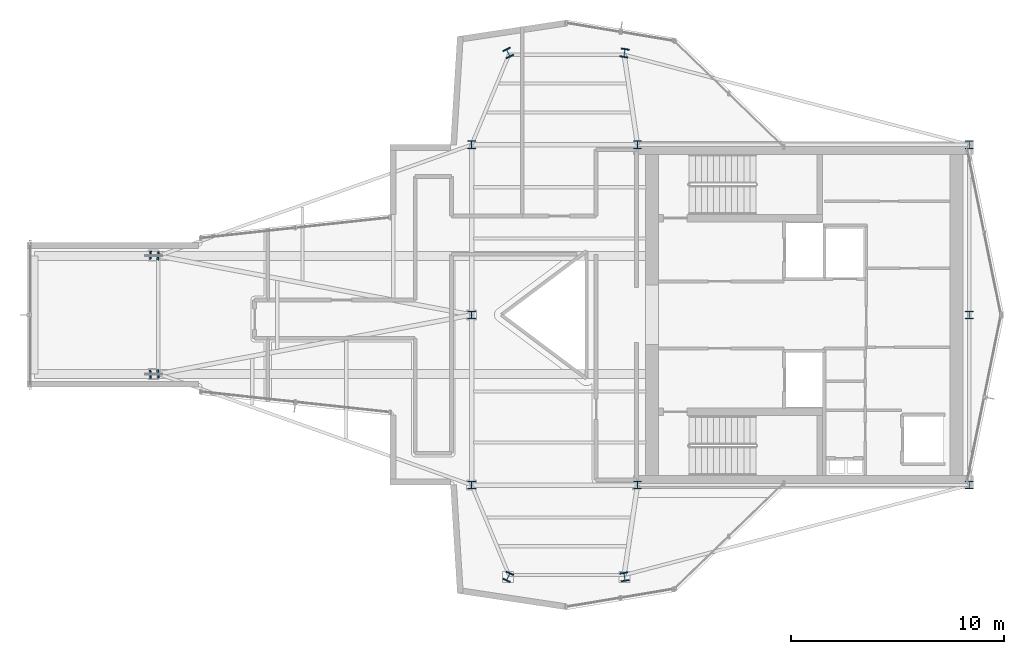
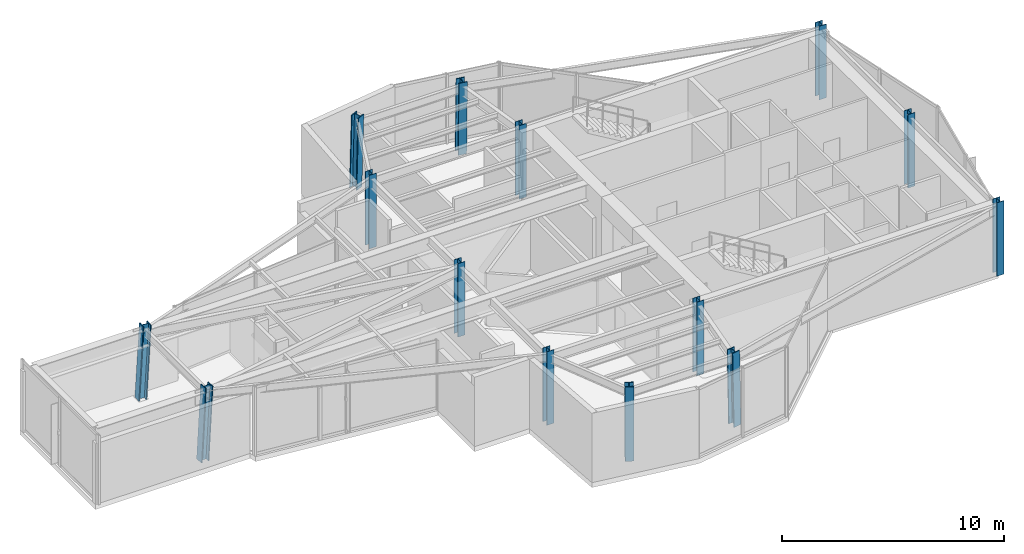
# One storey, part 1 of 18: 14 columns.
"""IFC4 building model written with IfcOpenShell, lengths in metres."""

from ifc_helpers import new_model, si_unit, direction, frame, origin, origin_2d, place, context, subcontext, project, spatial, i_section, extrude, material, material_profile, profile_set, type_object, element, save


model = new_model("IFC4")

# Units and contexts
model_context = context("Model", 3, precision=1e-05, world=origin(), true_north=direction((0.0, 1.0)))
body_context = subcontext(model_context, "Body", "Model", "MODEL_VIEW")
ifc_project = project(units=[si_unit("LENGTHUNIT", "METRE"), si_unit("AREAUNIT", "SQUARE_METRE"), si_unit("VOLUMEUNIT", "CUBIC_METRE"), si_unit("PLANEANGLEUNIT", "RADIAN"), si_unit("MASSUNIT", "GRAM", prefix="KILO")], contexts=[model_context])

# Site, building, storey
site_placement = place(None, origin())
site = spatial("IfcSite", under=ifc_project, at=site_placement, CompositionType="ELEMENT")
building_placement = place(site_placement, origin())
building = spatial("IfcBuilding", under=site, at=building_placement, Name="Veymaron Broadcast Tower", CompositionType="ELEMENT")
storey_placement = place(building_placement, frame((0.0, 0.0, 319.5)))
storey = spatial("IfcBuildingStorey", under=building, at=storey_placement, Name="L75", CompositionType="ELEMENT", Elevation=319.5)

# Columns
ifc_material_1 = material(Name="Structural steel ASTM A992 Gr 50", Category="steel")
ifc_material_profile_1 = material_profile(ifc_material_1, i_section(OverallWidth=0.373046875, OverallDepth=0.367919921875, WebThickness=0.014892578125, FlangeThickness=0.02392578125, at=origin_2d()), Name="W360X179")
ifc_profile_set_1 = profile_set([ifc_material_profile_1], Name="Structural steel ASTM A992 Gr 50")
column_type_1 = type_object("IfcColumnType", Name="COL-HC4", PredefinedType="COLUMN", material=ifc_profile_set_1)
for number, where, z_axis, x_axis, name in (
    (1, (31.199951171875, 16.0, 0.0), (0.0, 0.0, 1.0), (1.0, 0.0, 0.0), "L75 structural hub and core column"),
    (2, (31.199951171875, 24.0, 0.0), (0.0, 0.0, 1.0), (1.0, 0.0, 0.0), "L75 structural hub and core column"),
    (3, (31.199951171875, 32.0, 0.0), (0.0, 0.0, 1.0), (1.0, 0.0, 0.0), "L75 structural hub and core column"),
    (4, (39.0, 16.0, 0.0), (0.0, 0.0, 1.0), (1.0, 0.0, 0.0), "L75 structural hub and core column"),
    (5, (39.0, 32.0, 0.0), (0.0, 0.0, 1.0), (1.0, 0.0, 0.0), "L75 structural hub and core column"),
    (6, (54.60009765625, 16.0, 0.0), (0.0, 0.0, 1.0), (1.0, 0.0, 0.0), "L75 structural hub and core column"),
    (7, (54.60009765625, 24.0, 0.0), (0.0, 0.0, 1.0), (1.0, 0.0, 0.0), "L75 structural hub and core column"),
    (8, (54.60009765625, 32.0, 0.0), (0.0, 0.0, 1.0), (1.0, 0.0, 0.0), "L75 structural hub and core column"),
):
    element("IfcColumn", number, at=place(storey_placement, frame(where, z_axis=z_axis, x_axis=x_axis)), inside=storey, type_object=column_type_1, Name=name, PredefinedType="COLUMN", context=body_context, shape_type="SweptSolid", body=[
        extrude(i_section(OverallWidth=0.373046875, OverallDepth=0.367919921875, WebThickness=0.014892578125, FlangeThickness=0.02392578125, at=origin_2d()), origin(), (0.0, 0.0, 1.0), 4.0439453125),
    ])
ifc_material_2 = material(Name="Structural steel ASTM A913 Gr 65", Category="steel")
ifc_material_profile_2 = material_profile(ifc_material_2, i_section(OverallWidth=0.406005859375, OverallDepth=0.416015625, WebThickness=0.02978515625, FlangeThickness=0.048095703125, at=origin_2d()), Name="W360X382")
ifc_profile_set_2 = profile_set([ifc_material_profile_2], Name="Structural steel ASTM A913 Gr 65")
column_type_2 = type_object("IfcColumnType", Name="COL-MC4", PredefinedType="COLUMN", material=ifc_profile_set_2)
for number, where, z_axis, x_axis, name in (
    (9, (16.24560546875, 21.2119140625, 0.01611328125), (0.054847904766, 0.004004382428, 0.99848669108), (-0.072815044744, 0.997345461342, 0.0), "L75 Tapered Wing Mega Column"),
    (10, (16.24560546875, 26.7880859375, 0.01611328125), (0.054847904766, -0.004004382428, 0.99848669108), (0.072815044744, 0.997345461342, 0.0), "L75 Tapered Wing Mega Column"),
):
    element("IfcColumn", number, at=place(storey_placement, frame(where, z_axis=z_axis, x_axis=x_axis)), inside=storey, type_object=column_type_2, Name=name, PredefinedType="COLUMN", context=body_context, shape_type="SweptSolid", body=[
        extrude(i_section(OverallWidth=0.406005859375, OverallDepth=0.416015625, WebThickness=0.02978515625, FlangeThickness=0.048095703125, at=origin_2d()), origin(), (0.0, 0.0, 1.0), 4.02392578125),
    ])
column_1_placement = place(storey_placement, frame((32.91357421875, 36.327880859375, 0.01611328125), z_axis=(0.011176767786, -0.023872118153, 0.999652540554), x_axis=(0.905652571216, 0.424020542249, 0.0)))
element("IfcColumn", 11, at=column_1_placement, inside=storey, type_object=column_type_2, Name="L75 Tapered Wing Mega Column", PredefinedType="COLUMN", context=body_context, shape_type="SweptSolid", body=[
    extrude(i_section(OverallWidth=0.406005859375, OverallDepth=0.416015625, WebThickness=0.02978515625, FlangeThickness=0.048095703125, at=origin_2d()), origin(), (0.0, 0.0, 1.0), 4.019287109375),
])
column_2_placement = place(storey_placement, frame((38.387939453125, 36.327880859375, 0.01611328125), z_axis=(-0.003948530561, -0.02387342324, 0.999707191516), x_axis=(0.986596715682, -0.163177573841, 0.0)))
element("IfcColumn", 12, at=column_2_placement, inside=storey, type_object=column_type_2, Name="L75 Tapered Wing Mega Column", PredefinedType="COLUMN", context=body_context, shape_type="SweptSolid", body=[
    extrude(i_section(OverallWidth=0.406005859375, OverallDepth=0.416015625, WebThickness=0.02978515625, FlangeThickness=0.048095703125, at=origin_2d()), origin(), (0.0, 0.0, 1.0), 4.01904296875),
])
column_3_placement = place(storey_placement, frame((32.91357421875, 11.672119140625, 0.01611328125), z_axis=(0.011176767786, 0.023872118153, 0.999652540554), x_axis=(-0.905652571216, 0.424020542249, 0.0)))
element("IfcColumn", 13, at=column_3_placement, inside=storey, type_object=column_type_2, Name="L75 Tapered Wing Mega Column", PredefinedType="COLUMN", context=body_context, shape_type="SweptSolid", body=[
    extrude(i_section(OverallWidth=0.406005859375, OverallDepth=0.416015625, WebThickness=0.02978515625, FlangeThickness=0.048095703125, at=origin_2d()), origin(), (0.0, 0.0, 1.0), 4.019287109375),
])
column_4_placement = place(storey_placement, frame((38.387939453125, 11.672119140625, 0.01611328125), z_axis=(-0.003948530561, 0.02387342324, 0.999707191516), x_axis=(-0.986596715682, -0.163177573841, 0.0)))
element("IfcColumn", 14, at=column_4_placement, inside=storey, type_object=column_type_2, Name="L75 Tapered Wing Mega Column", PredefinedType="COLUMN", context=body_context, shape_type="SweptSolid", body=[
    extrude(i_section(OverallWidth=0.406005859375, OverallDepth=0.416015625, WebThickness=0.02978515625, FlangeThickness=0.048095703125, at=origin_2d()), origin(), (0.0, 0.0, 1.0), 4.01904296875),
])

save(model, "model.ifc")
